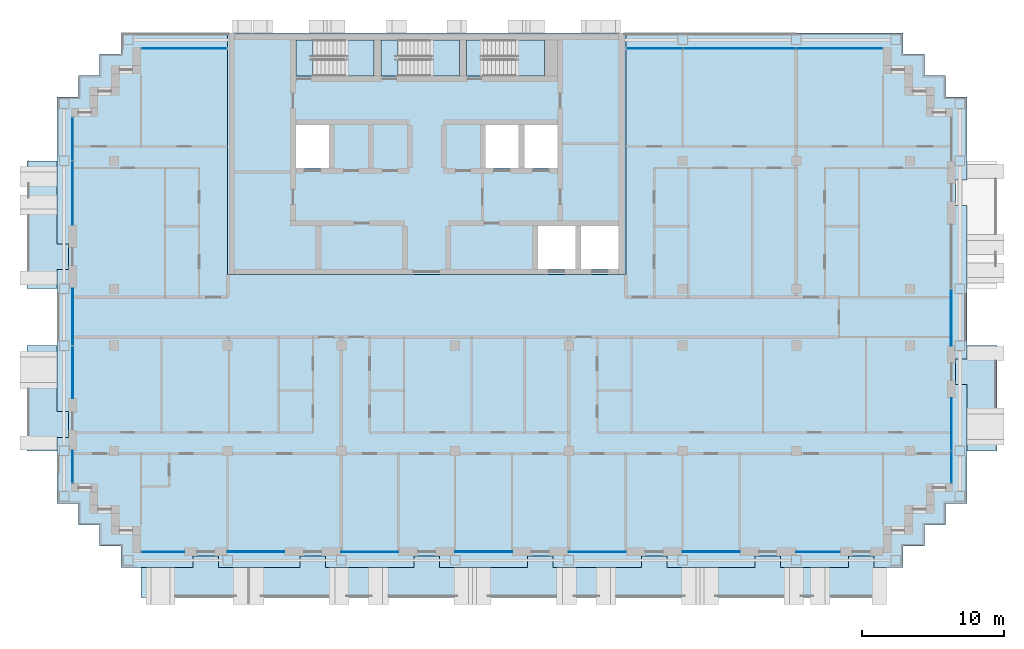
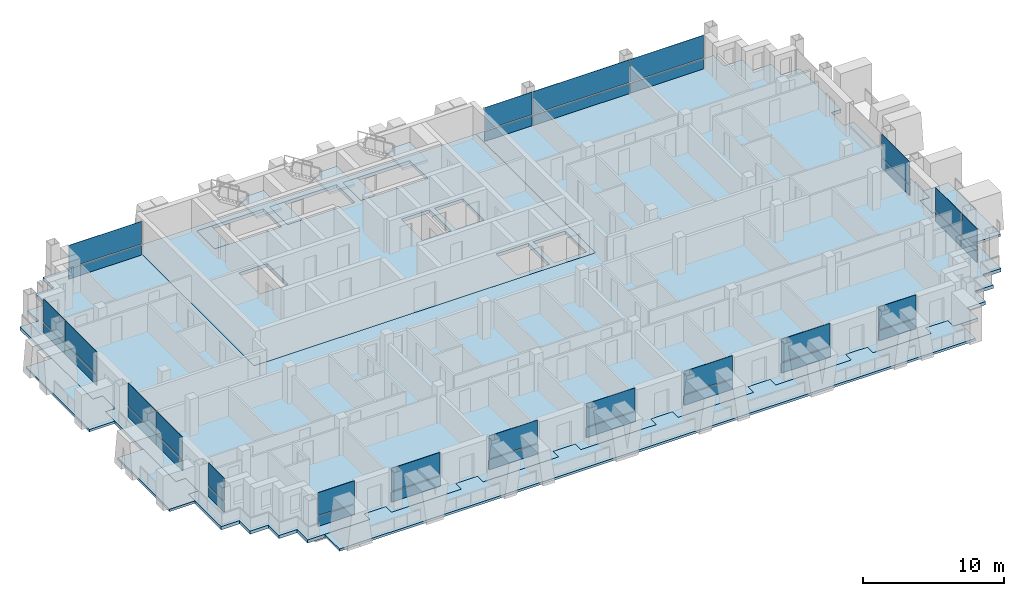
# One storey, part 6 of 16: 38 plates, 12 slabs, 17 elements without a shape of their own.
"""IFC4 building model written with IfcOpenShell, lengths in metres."""

from ifc_helpers import new_model, si_unit, direction, frame, origin, origin_2d, place, context, subcontext, project, spatial, polyline, rectangle, outline, extrude, material, layer, layer_set, type_object, element, aggregate, save


model = new_model("IFC4")

# Units and contexts
model_context = context("Model", 3, precision=1e-05, world=origin(), true_north=direction((0.0, 1.0)))
body_context = subcontext(model_context, "Body", "Model", "MODEL_VIEW")
ifc_project = project(units=[si_unit("LENGTHUNIT", "METRE"), si_unit("AREAUNIT", "SQUARE_METRE"), si_unit("VOLUMEUNIT", "CUBIC_METRE"), si_unit("PLANEANGLEUNIT", "RADIAN"), si_unit("MASSUNIT", "GRAM", prefix="KILO")], contexts=[model_context])

# Site, building, storey
site_placement = place(None, origin())
site = spatial("IfcSite", under=ifc_project, at=site_placement, CompositionType="ELEMENT")
building_placement = place(site_placement, origin())
building = spatial("IfcBuilding", under=site, at=building_placement, Name="Vidyagriha Tower", CompositionType="ELEMENT")
storey_placement = place(building_placement, frame((0.0, 0.0, 168.5)))
storey = spatial("IfcBuildingStorey", under=building, at=storey_placement, Name="L43", CompositionType="ELEMENT", Elevation=168.5)

# Curtain wall, plates
ifc_material_1 = material(Name="Aluminium and glass curtain wall", Category="aluminium")
curtain_wall_type = type_object("IfcCurtainWallType", Name="Dwelling skin unitised curtain wall", PredefinedType="USERDEFINED", material=ifc_material_1)
curtain_wall_1_placement = place(storey_placement, origin())
curtain_wall_1 = element("IfcCurtainWall", 1, at=curtain_wall_1_placement, inside=storey, type_object=curtain_wall_type, Name="CW1 dwelling skin", ObjectType="UNITISED", PredefinedType="USERDEFINED")
ifc_material_2 = material(Name="Glass dark ceramic-fritted spandrel", Category="glass")
ifc_layer_1 = layer(ifc_material_2, 0.0400390625)
ifc_layer_set_1 = layer_set([ifc_layer_1], Name="Glass dark ceramic-fritted spandrel")
plate_type_1 = type_object("IfcPlateType", Name="Ceramic-fritted spandrel panel", PredefinedType="CURTAIN_PANEL", material=ifc_layer_set_1)
plate_1_placement = place(storey_placement, frame((29.032470703125, 18.89990234375, 0.0), z_axis=(0.0, 0.0, 1.0), x_axis=(-1.0, 0.0, 0.0)))
plate_1 = element("IfcPlate", 2, at=plate_1_placement, type_object=plate_type_1, Name="CW1 panel 1.1", PredefinedType="CURTAIN_PANEL", context=body_context, shape_type="SweptSolid", body=[
    extrude(rectangle(XDim=5.9951171875, YDim=0.0400390625, at=origin_2d()), origin(), (0.0, 0.0, 1.0), 0.85009765625),
])
plate_2_placement = place(storey_placement, frame((16.017578125, 18.89990234375, 0.0), z_axis=(0.0, 0.0, 1.0), x_axis=(-1.0, 0.0, 0.0)))
plate_2 = element("IfcPlate", 3, at=plate_2_placement, type_object=plate_type_1, Name="CW1 panel 3.1", PredefinedType="CURTAIN_PANEL", context=body_context, shape_type="SweptSolid", body=[
    extrude(rectangle(XDim=3.89501953125, YDim=0.0400390625, at=origin_2d()), origin(), (0.0, 0.0, 1.0), 0.85009765625),
])

# Curtain wall, plate
curtain_wall_2_placement = place(storey_placement, origin())
curtain_wall_2 = element("IfcCurtainWall", 4, at=curtain_wall_2_placement, inside=storey, type_object=curtain_wall_type, Name="CW1 dwelling skin", ObjectType="UNITISED", PredefinedType="USERDEFINED")
plate_3_placement = place(storey_placement, frame((-17.050048828125, 18.89990234375, 0.0), z_axis=(0.0, 0.0, 1.0), x_axis=(-1.0, 0.0, 0.0)))
plate_3 = element("IfcPlate", 5, at=plate_3_placement, type_object=plate_type_1, Name="CW1 panel 1.1", PredefinedType="CURTAIN_PANEL", context=body_context, shape_type="SweptSolid", body=[
    extrude(rectangle(XDim=5.9599609375, YDim=0.0400390625, at=origin_2d()), origin(), (0.0, 0.0, 1.0), 0.85009765625),
])

# Curtain wall, plates
curtain_wall_3_placement = place(storey_placement, origin())
curtain_wall_3 = element("IfcCurtainWall", 6, at=curtain_wall_3_placement, inside=storey, type_object=curtain_wall_type, Name="CW1 dwelling skin", ObjectType="UNITISED", PredefinedType="USERDEFINED")
plate_4_placement = place(storey_placement, frame((-24.89990234375, 12.532470703125, 0.0), z_axis=(0.0, 0.0, 1.0), x_axis=(0.0, -1.0, 0.0)))
plate_4 = element("IfcPlate", 7, at=plate_4_placement, type_object=plate_type_1, Name="CW1 panel 1.1", PredefinedType="CURTAIN_PANEL", context=body_context, shape_type="SweptSolid", body=[
    extrude(rectangle(XDim=2.9951171875, YDim=0.0400390625, at=origin_2d()), origin(), (0.0, 0.0, 1.0), 0.85009765625),
])
plate_5_placement = place(storey_placement, frame((-24.89990234375, 8.732421875, 0.0), z_axis=(0.0, 0.0, 1.0), x_axis=(0.0, -1.0, 0.0)))
plate_5 = element("IfcPlate", 8, at=plate_5_placement, type_object=plate_type_1, Name="CW1 panel 2.1", PredefinedType="CURTAIN_PANEL", context=body_context, shape_type="SweptSolid", body=[
    extrude(rectangle(XDim=4.465087890625, YDim=0.0400390625, at=origin_2d()), origin(), (0.0, 0.0, 1.0), 0.85009765625),
])

# Curtain wall, plate
curtain_wall_4_placement = place(storey_placement, origin())
curtain_wall_4 = element("IfcCurtainWall", 9, at=curtain_wall_4_placement, inside=storey, type_object=curtain_wall_type, Name="CW1 dwelling skin", ObjectType="UNITISED", PredefinedType="USERDEFINED")
plate_6_placement = place(storey_placement, frame((-24.89990234375, -10.514892578125, 0.0), z_axis=(0.0, 0.0, 1.0), x_axis=(0.0, -1.0, 0.0)))
plate_6 = element("IfcPlate", 10, at=plate_6_placement, type_object=plate_type_1, Name="CW1 panel 1.1", PredefinedType="CURTAIN_PANEL", context=body_context, shape_type="SweptSolid", body=[
    extrude(rectangle(XDim=2.22998046875, YDim=0.0400390625, at=origin_2d()), origin(), (0.0, 0.0, 1.0), 0.85009765625),
])

curtain_wall_5_placement = place(storey_placement, origin())
curtain_wall_5 = element("IfcCurtainWall", 11, at=curtain_wall_5_placement, inside=storey, type_object=curtain_wall_type, Name="CW1 dwelling skin", ObjectType="UNITISED", PredefinedType="USERDEFINED")
plate_7_placement = place(storey_placement, frame((-18.5400390625, -16.5, 0.0)))
plate_7 = element("IfcPlate", 12, at=plate_7_placement, type_object=plate_type_1, Name="CW1 panel 1.1", PredefinedType="CURTAIN_PANEL", context=body_context, shape_type="SweptSolid", body=[
    extrude(rectangle(XDim=2.97998046875, YDim=0.0400390625, at=origin_2d()), origin(), (0.0, 0.0, 1.0), 0.85009765625),
])

curtain_wall_6_placement = place(storey_placement, origin())
curtain_wall_6 = element("IfcCurtainWall", 13, at=curtain_wall_6_placement, inside=storey, type_object=curtain_wall_type, Name="CW1 dwelling skin", ObjectType="UNITISED", PredefinedType="USERDEFINED")
plate_8_placement = place(storey_placement, frame((-4.0, -16.5, 0.0)))
plate_8 = element("IfcPlate", 14, at=plate_8_placement, type_object=plate_type_1, Name="CW1 panel 1.1", PredefinedType="CURTAIN_PANEL", context=body_context, shape_type="SweptSolid", body=[
    extrude(rectangle(XDim=4.0, YDim=0.0400390625, at=origin_2d()), origin(), (0.0, 0.0, 1.0), 0.85009765625),
])

curtain_wall_7_placement = place(storey_placement, origin())
curtain_wall_7 = element("IfcCurtainWall", 15, at=curtain_wall_7_placement, inside=storey, type_object=curtain_wall_type, Name="CW1 dwelling skin", ObjectType="UNITISED", PredefinedType="USERDEFINED")
plate_9_placement = place(storey_placement, frame((12.0, -16.5, 0.0)))
plate_9 = element("IfcPlate", 16, at=plate_9_placement, type_object=plate_type_1, Name="CW1 panel 1.1", PredefinedType="CURTAIN_PANEL", context=body_context, shape_type="SweptSolid", body=[
    extrude(rectangle(XDim=4.0, YDim=0.0400390625, at=origin_2d()), origin(), (0.0, 0.0, 1.0), 0.85009765625),
])

curtain_wall_8_placement = place(storey_placement, origin())
curtain_wall_8 = element("IfcCurtainWall", 17, at=curtain_wall_8_placement, inside=storey, type_object=curtain_wall_type, Name="CW1 dwelling skin", ObjectType="UNITISED", PredefinedType="USERDEFINED")
plate_10_placement = place(storey_placement, frame((27.52490234375, -16.5, 0.0)))
plate_10 = element("IfcPlate", 18, at=plate_10_placement, type_object=plate_type_1, Name="CW1 panel 1.1", PredefinedType="CURTAIN_PANEL", context=body_context, shape_type="SweptSolid", body=[
    extrude(rectangle(XDim=3.050048828125, YDim=0.0400390625, at=origin_2d()), origin(), (0.0, 0.0, 1.0), 0.85009765625),
])

# Curtain wall, plates
curtain_wall_9_placement = place(storey_placement, origin())
curtain_wall_9 = element("IfcCurtainWall", 19, at=curtain_wall_9_placement, inside=storey, type_object=curtain_wall_type, Name="CW1 dwelling skin", ObjectType="UNITISED", PredefinedType="USERDEFINED")
plate_11_placement = place(storey_placement, frame((36.89990234375, -10.532470703125, 0.0), z_axis=(0.0, 0.0, 1.0), x_axis=(0.0, 1.0, 0.0)))
plate_11 = element("IfcPlate", 20, at=plate_11_placement, type_object=plate_type_1, Name="CW1 panel 1.1", PredefinedType="CURTAIN_PANEL", context=body_context, shape_type="SweptSolid", body=[
    extrude(rectangle(XDim=2.195068359375, YDim=0.0400390625, at=origin_2d()), origin(), (0.0, 0.0, 1.0), 0.85009765625),
])
plate_12_placement = place(storey_placement, frame((36.89990234375, -7.532470703125, 0.0), z_axis=(0.0, 0.0, 1.0), x_axis=(0.0, 1.0, 0.0)))
plate_12 = element("IfcPlate", 21, at=plate_12_placement, type_object=plate_type_1, Name="CW1 panel 2.1", PredefinedType="CURTAIN_PANEL", context=body_context, shape_type="SweptSolid", body=[
    extrude(rectangle(XDim=3.6650390625, YDim=0.0400390625, at=origin_2d()), origin(), (0.0, 0.0, 1.0), 0.85009765625),
])

# Slab
ifc_material_3 = material(Name="Concrete C60/75", Category="concrete")
ifc_layer_2 = layer(ifc_material_3, 0.280029296875)
ifc_layer_set_2 = layer_set([ifc_layer_2], Name="Concrete C60/75")
slab_type_1 = type_object("IfcSlabType", Name="Core floor slab 280 mm", PredefinedType="FLOOR", material=ifc_layer_set_2)
slab_1_placement = place(storey_placement, frame((0.0, 0.0, -0.280029296875)))
element("IfcSlab", 22, at=slab_1_placement, inside=storey, type_object=slab_type_1, Name="L43 core floor 1", PredefinedType="FLOOR", context=body_context, shape_type="SweptSolid", body=[
    extrude(outline(polyline([(-14.0, 3.0), (-14.0, 20.0), (14.0, 20.0), (14.0, 3.0), (-14.0, 3.0)]), holes=[polyline([(13.5, 6.39990234375), (10.855712890625, 6.39990234375), (10.855712890625, 3.39990234375), (13.5, 3.39990234375), (13.5, 6.39990234375)]), polyline([(10.45556640625, 6.39990234375), (7.81103515625, 6.39990234375), (7.81103515625, 3.39990234375), (10.45556640625, 3.39990234375), (10.45556640625, 6.39990234375)]), polyline([(9.199951171875, 13.5), (6.86669921875, 13.5), (6.86669921875, 10.5), (9.199951171875, 10.5), (9.199951171875, 13.5)]), polyline([(2.800048828125, 19.5), (2.800048828125, 16.949951171875), (4.0, 16.949951171875), (8.300048828125, 16.949951171875), (8.300048828125, 19.5), (4.0, 19.5), (2.800048828125, 19.5)]), polyline([(4.13330078125, 13.5), (4.13330078125, 10.5), (6.466796875, 10.5), (6.466796875, 13.5), (4.13330078125, 13.5)]), polyline([(-2.0, 19.5), (-3.199951171875, 19.5), (-3.199951171875, 16.949951171875), (-2.0, 16.949951171875), (2.300048828125, 16.949951171875), (2.300048828125, 19.5), (-2.0, 19.5)]), polyline([(-9.199951171875, 19.5), (-9.199951171875, 16.949951171875), (-8.0, 16.949951171875), (-3.699951171875, 16.949951171875), (-3.699951171875, 19.5), (-8.0, 19.5), (-9.199951171875, 19.5)]), polyline([(-9.199951171875, 13.5), (-9.199951171875, 10.5), (-6.86669921875, 10.5), (-6.86669921875, 13.5), (-9.199951171875, 13.5)])]), origin(), (0.0, 0.0, 1.0), 0.280029296875),
])

# Plate
ifc_material_4 = material(Name="Glass dark ceramic-fritted", Category="glass")
ifc_layer_3 = layer(ifc_material_4, 0.028076171875)
ifc_layer_set_3 = layer_set([ifc_layer_3], Name="Glass dark ceramic-fritted")
plate_type_2 = type_object("IfcPlateType", Name="Dark ceramic-fritted vision glass panel", PredefinedType="CURTAIN_PANEL", material=ifc_layer_set_3)
plate_13_placement = place(storey_placement, frame((29.032470703125, 18.89990234375, 0.9501953125), z_axis=(0.0, 0.0, 1.0), x_axis=(-1.0, 0.0, 0.0)))
plate_13 = element("IfcPlate", 23, at=plate_13_placement, type_object=plate_type_2, Name="CW1 panel 1.2", PredefinedType="CURTAIN_PANEL", context=body_context, shape_type="SweptSolid", body=[
    extrude(rectangle(XDim=5.9951171875, YDim=0.028076171875, at=origin_2d()), origin(), (0.0, 0.0, 1.0), 1.969970703125),
])

plate_14_placement = place(storey_placement, frame((22.0, 18.89990234375, 0.9501953125), z_axis=(0.0, 0.0, 1.0), x_axis=(-1.0, 0.0, 0.0)))
plate_14 = element("IfcPlate", 24, at=plate_14_placement, type_object=plate_type_2, Name="CW1 panel 2.2", PredefinedType="CURTAIN_PANEL", context=body_context, shape_type="SweptSolid", body=[
    extrude(rectangle(XDim=7.929931640625, YDim=0.028076171875, at=origin_2d()), origin(), (0.0, 0.0, 1.0), 1.969970703125),
])

plate_15_placement = place(storey_placement, frame((16.017578125, 18.89990234375, 0.9501953125), z_axis=(0.0, 0.0, 1.0), x_axis=(-1.0, 0.0, 0.0)))
plate_15 = element("IfcPlate", 25, at=plate_15_placement, type_object=plate_type_2, Name="CW1 panel 3.2", PredefinedType="CURTAIN_PANEL", context=body_context, shape_type="SweptSolid", body=[
    extrude(rectangle(XDim=3.89501953125, YDim=0.028076171875, at=origin_2d()), origin(), (0.0, 0.0, 1.0), 1.969970703125),
])

plate_16_placement = place(storey_placement, frame((-17.050048828125, 18.89990234375, 0.9501953125), z_axis=(0.0, 0.0, 1.0), x_axis=(-1.0, 0.0, 0.0)))
plate_16 = element("IfcPlate", 26, at=plate_16_placement, type_object=plate_type_2, Name="CW1 panel 1.2", PredefinedType="CURTAIN_PANEL", context=body_context, shape_type="SweptSolid", body=[
    extrude(rectangle(XDim=5.9599609375, YDim=0.028076171875, at=origin_2d()), origin(), (0.0, 0.0, 1.0), 1.969970703125),
])

aggregate(curtain_wall_2, [plate_3, plate_16])

plate_17_placement = place(storey_placement, frame((-24.89990234375, 12.532470703125, 0.9501953125), z_axis=(0.0, 0.0, 1.0), x_axis=(0.0, -1.0, 0.0)))
plate_17 = element("IfcPlate", 27, at=plate_17_placement, type_object=plate_type_2, Name="CW1 panel 1.2", PredefinedType="CURTAIN_PANEL", context=body_context, shape_type="SweptSolid", body=[
    extrude(rectangle(XDim=2.9951171875, YDim=0.028076171875, at=origin_2d()), origin(), (0.0, 0.0, 1.0), 1.969970703125),
])

plate_18_placement = place(storey_placement, frame((-24.89990234375, 8.732421875, 0.9501953125), z_axis=(0.0, 0.0, 1.0), x_axis=(0.0, -1.0, 0.0)))
plate_18 = element("IfcPlate", 28, at=plate_18_placement, type_object=plate_type_2, Name="CW1 panel 2.2", PredefinedType="CURTAIN_PANEL", context=body_context, shape_type="SweptSolid", body=[
    extrude(rectangle(XDim=4.465087890625, YDim=0.028076171875, at=origin_2d()), origin(), (0.0, 0.0, 1.0), 1.969970703125),
])

aggregate(curtain_wall_3, [plate_4, plate_17, plate_5, plate_18])

# Curtain wall, plates
curtain_wall_10_placement = place(storey_placement, origin())
curtain_wall_10 = element("IfcCurtainWall", 29, at=curtain_wall_10_placement, inside=storey, type_object=curtain_wall_type, Name="CW1 dwelling skin", ObjectType="UNITISED", PredefinedType="USERDEFINED")
plate_19_placement = place(storey_placement, frame((-24.89990234375, 0.017578125, 0.9501953125), z_axis=(0.0, 0.0, 1.0), x_axis=(0.0, -1.0, 0.0)))
plate_19 = element("IfcPlate", 30, at=plate_19_placement, type_object=plate_type_2, Name="CW1 panel 1.2", PredefinedType="CURTAIN_PANEL", context=body_context, shape_type="SweptSolid", body=[
    extrude(rectangle(XDim=3.965087890625, YDim=0.028076171875, at=origin_2d()), origin(), (0.0, 0.0, 1.0), 1.969970703125),
])
plate_20_placement = place(storey_placement, frame((-24.89990234375, -3.867431640625, 0.9501953125), z_axis=(0.0, 0.0, 1.0), x_axis=(0.0, -1.0, 0.0)))
plate_20 = element("IfcPlate", 31, at=plate_20_placement, type_object=plate_type_2, Name="CW1 panel 2.2", PredefinedType="CURTAIN_PANEL", context=body_context, shape_type="SweptSolid", body=[
    extrude(rectangle(XDim=3.6650390625, YDim=0.028076171875, at=origin_2d()), origin(), (0.0, 0.0, 1.0), 1.969970703125),
])

# Plate
plate_21_placement = place(storey_placement, frame((-24.89990234375, -10.514892578125, 0.9501953125), z_axis=(0.0, 0.0, 1.0), x_axis=(0.0, -1.0, 0.0)))
plate_21 = element("IfcPlate", 32, at=plate_21_placement, type_object=plate_type_2, Name="CW1 panel 1.2", PredefinedType="CURTAIN_PANEL", context=body_context, shape_type="SweptSolid", body=[
    extrude(rectangle(XDim=2.22998046875, YDim=0.028076171875, at=origin_2d()), origin(), (0.0, 0.0, 1.0), 1.969970703125),
])

aggregate(curtain_wall_4, [plate_6, plate_21])

plate_22_placement = place(storey_placement, frame((-18.5400390625, -16.5, 0.9501953125)))
plate_22 = element("IfcPlate", 33, at=plate_22_placement, type_object=plate_type_2, Name="CW1 panel 1.2", PredefinedType="CURTAIN_PANEL", context=body_context, shape_type="SweptSolid", body=[
    extrude(rectangle(XDim=2.97998046875, YDim=0.028076171875, at=origin_2d()), origin(), (0.0, 0.0, 1.0), 1.969970703125),
])

aggregate(curtain_wall_5, [plate_7, plate_22])

# Curtain wall, plate
curtain_wall_11_placement = place(storey_placement, origin())
curtain_wall_11 = element("IfcCurtainWall", 34, at=curtain_wall_11_placement, inside=storey, type_object=curtain_wall_type, Name="CW1 dwelling skin", ObjectType="UNITISED", PredefinedType="USERDEFINED")
plate_23_placement = place(storey_placement, frame((-12.0, -16.5, 0.9501953125)))
plate_23 = element("IfcPlate", 35, at=plate_23_placement, type_object=plate_type_2, Name="CW1 panel 1.2", PredefinedType="CURTAIN_PANEL", context=body_context, shape_type="SweptSolid", body=[
    extrude(rectangle(XDim=4.0, YDim=0.028076171875, at=origin_2d()), origin(), (0.0, 0.0, 1.0), 1.969970703125),
])

# Plate
plate_24_placement = place(storey_placement, frame((-4.0, -16.5, 0.9501953125)))
plate_24 = element("IfcPlate", 36, at=plate_24_placement, type_object=plate_type_2, Name="CW1 panel 1.2", PredefinedType="CURTAIN_PANEL", context=body_context, shape_type="SweptSolid", body=[
    extrude(rectangle(XDim=4.0, YDim=0.028076171875, at=origin_2d()), origin(), (0.0, 0.0, 1.0), 1.969970703125),
])

aggregate(curtain_wall_6, [plate_8, plate_24])

# Curtain wall, plate
curtain_wall_12_placement = place(storey_placement, origin())
curtain_wall_12 = element("IfcCurtainWall", 37, at=curtain_wall_12_placement, inside=storey, type_object=curtain_wall_type, Name="CW1 dwelling skin", ObjectType="UNITISED", PredefinedType="USERDEFINED")
plate_25_placement = place(storey_placement, frame((4.0, -16.5, 0.9501953125)))
plate_25 = element("IfcPlate", 38, at=plate_25_placement, type_object=plate_type_2, Name="CW1 panel 1.2", PredefinedType="CURTAIN_PANEL", context=body_context, shape_type="SweptSolid", body=[
    extrude(rectangle(XDim=4.0, YDim=0.028076171875, at=origin_2d()), origin(), (0.0, 0.0, 1.0), 1.969970703125),
])

# Plate
plate_26_placement = place(storey_placement, frame((12.0, -16.5, 0.9501953125)))
plate_26 = element("IfcPlate", 39, at=plate_26_placement, type_object=plate_type_2, Name="CW1 panel 1.2", PredefinedType="CURTAIN_PANEL", context=body_context, shape_type="SweptSolid", body=[
    extrude(rectangle(XDim=4.0, YDim=0.028076171875, at=origin_2d()), origin(), (0.0, 0.0, 1.0), 1.969970703125),
])

aggregate(curtain_wall_7, [plate_9, plate_26])

# Curtain wall, plate
curtain_wall_13_placement = place(storey_placement, origin())
curtain_wall_13 = element("IfcCurtainWall", 40, at=curtain_wall_13_placement, inside=storey, type_object=curtain_wall_type, Name="CW1 dwelling skin", ObjectType="UNITISED", PredefinedType="USERDEFINED")
plate_27_placement = place(storey_placement, frame((20.0, -16.5, 0.9501953125)))
plate_27 = element("IfcPlate", 41, at=plate_27_placement, type_object=plate_type_2, Name="CW1 panel 1.2", PredefinedType="CURTAIN_PANEL", context=body_context, shape_type="SweptSolid", body=[
    extrude(rectangle(XDim=4.0, YDim=0.028076171875, at=origin_2d()), origin(), (0.0, 0.0, 1.0), 1.969970703125),
])

# Plate
plate_28_placement = place(storey_placement, frame((27.52490234375, -16.5, 0.9501953125)))
plate_28 = element("IfcPlate", 42, at=plate_28_placement, type_object=plate_type_2, Name="CW1 panel 1.2", PredefinedType="CURTAIN_PANEL", context=body_context, shape_type="SweptSolid", body=[
    extrude(rectangle(XDim=3.050048828125, YDim=0.028076171875, at=origin_2d()), origin(), (0.0, 0.0, 1.0), 1.969970703125),
])

aggregate(curtain_wall_8, [plate_10, plate_28])

plate_29_placement = place(storey_placement, frame((36.89990234375, -10.532470703125, 0.9501953125), z_axis=(0.0, 0.0, 1.0), x_axis=(0.0, 1.0, 0.0)))
plate_29 = element("IfcPlate", 43, at=plate_29_placement, type_object=plate_type_2, Name="CW1 panel 1.2", PredefinedType="CURTAIN_PANEL", context=body_context, shape_type="SweptSolid", body=[
    extrude(rectangle(XDim=2.195068359375, YDim=0.028076171875, at=origin_2d()), origin(), (0.0, 0.0, 1.0), 1.969970703125),
])

plate_30_placement = place(storey_placement, frame((36.89990234375, -7.532470703125, 0.9501953125), z_axis=(0.0, 0.0, 1.0), x_axis=(0.0, 1.0, 0.0)))
plate_30 = element("IfcPlate", 44, at=plate_30_placement, type_object=plate_type_2, Name="CW1 panel 2.2", PredefinedType="CURTAIN_PANEL", context=body_context, shape_type="SweptSolid", body=[
    extrude(rectangle(XDim=3.6650390625, YDim=0.028076171875, at=origin_2d()), origin(), (0.0, 0.0, 1.0), 1.969970703125),
])

aggregate(curtain_wall_9, [plate_11, plate_29, plate_12, plate_30])

# Curtain wall, plate
curtain_wall_14_placement = place(storey_placement, origin())
curtain_wall_14 = element("IfcCurtainWall", 45, at=curtain_wall_14_placement, inside=storey, type_object=curtain_wall_type, Name="CW1 dwelling skin", ObjectType="UNITISED", PredefinedType="USERDEFINED")
plate_31_placement = place(storey_placement, frame((36.89990234375, -0.017578125, 0.9501953125), z_axis=(0.0, 0.0, 1.0), x_axis=(0.0, 1.0, 0.0)))
plate_31 = element("IfcPlate", 46, at=plate_31_placement, type_object=plate_type_2, Name="CW1 panel 1.2", PredefinedType="CURTAIN_PANEL", context=body_context, shape_type="SweptSolid", body=[
    extrude(rectangle(XDim=3.965087890625, YDim=0.028076171875, at=origin_2d()), origin(), (0.0, 0.0, 1.0), 1.969970703125),
])

# Slabs
ifc_material_5 = material(Name="Concrete C40/50", Category="concrete")
ifc_layer_4 = layer(ifc_material_5, 0.280029296875)
ifc_layer_set_4 = layer_set([ifc_layer_4], Name="Concrete C40/50")
slab_type_2 = type_object("IfcSlabType", Name="Exit stair floor landing 280 mm", PredefinedType="LANDING", material=ifc_layer_set_4)
slab_2_placement = place(storey_placement, frame((0.0, 0.0, -0.280029296875)))
element("IfcSlab", 47, at=slab_2_placement, inside=storey, type_object=slab_type_2, Name="ST1 floor landing L43", PredefinedType="LANDING", context=body_context, shape_type="SweptSolid", body=[
    extrude(outline(polyline([(-9.199951171875, 16.949951171875), (-8.0, 16.949951171875), (-8.0, 19.5), (-9.199951171875, 19.5), (-9.199951171875, 16.949951171875)])), origin(), (0.0, 0.0, 1.0), 0.280029296875),
])
slab_3_placement = place(storey_placement, frame((0.0, 0.0, -0.280029296875)))
element("IfcSlab", 48, at=slab_3_placement, inside=storey, type_object=slab_type_2, Name="ST2 floor landing L43", PredefinedType="LANDING", context=body_context, shape_type="SweptSolid", body=[
    extrude(outline(polyline([(-3.199951171875, 16.949951171875), (-2.0, 16.949951171875), (-2.0, 19.5), (-3.199951171875, 19.5), (-3.199951171875, 16.949951171875)])), origin(), (0.0, 0.0, 1.0), 0.280029296875),
])
slab_4_placement = place(storey_placement, frame((0.0, 0.0, -0.280029296875)))
element("IfcSlab", 49, at=slab_4_placement, inside=storey, type_object=slab_type_2, Name="ST3 floor landing L43", PredefinedType="LANDING", context=body_context, shape_type="SweptSolid", body=[
    extrude(outline(polyline([(2.800048828125, 16.949951171875), (4.0, 16.949951171875), (4.0, 19.5), (2.800048828125, 19.5), (2.800048828125, 16.949951171875)])), origin(), (0.0, 0.0, 1.0), 0.280029296875),
])

# Stair, slab
ifc_material_6 = material(Name="Concrete C40/50", Category="concrete")
stair_type = type_object("IfcStairType", Name="Exit stair, half-turn, precast flights", PredefinedType="HALF_TURN_STAIR", material=ifc_material_6)
stair_1_placement = place(storey_placement, origin())
stair_1 = element("IfcStair", 50, at=stair_1_placement, inside=storey, type_object=stair_type, Name="L43 Exit Stair ST1", PredefinedType="HALF_TURN_STAIR")
ifc_material_7 = material(Name="Concrete C40/50", Category="concrete")
ifc_layer_5 = layer(ifc_material_7, 0.199951171875)
ifc_layer_set_5 = layer_set([ifc_layer_5], Name="Concrete C40/50")
slab_type_3 = type_object("IfcSlabType", Name="Exit stair landing 200 mm", PredefinedType="LANDING", material=ifc_layer_set_5)
slab_5_placement = place(storey_placement, frame((0.0, 0.0, 1.39990234375)))
slab_5 = element("IfcSlab", 51, at=slab_5_placement, type_object=slab_type_3, Name="ST1 landing 1", PredefinedType="LANDING", context=body_context, shape_type="SweptSolid", body=[
    extrude(outline(polyline([(-5.760009765625, 16.949951171875), (-3.699951171875, 16.949951171875), (-3.699951171875, 19.5), (-5.760009765625, 19.5), (-5.760009765625, 16.949951171875)])), origin(), (0.0, 0.0, 1.0), 0.2001953125),
])
aggregate(stair_1, [slab_5])

stair_2_placement = place(storey_placement, origin())
stair_2 = element("IfcStair", 52, at=stair_2_placement, inside=storey, type_object=stair_type, Name="L43 Exit Stair ST2", PredefinedType="HALF_TURN_STAIR")
slab_6_placement = place(storey_placement, frame((0.0, 0.0, 1.39990234375)))
slab_6 = element("IfcSlab", 53, at=slab_6_placement, type_object=slab_type_3, Name="ST2 landing 1", PredefinedType="LANDING", context=body_context, shape_type="SweptSolid", body=[
    extrude(outline(polyline([(0.239990234375, 16.949951171875), (2.300048828125, 16.949951171875), (2.300048828125, 19.5), (0.239990234375, 19.5), (0.239990234375, 16.949951171875)])), origin(), (0.0, 0.0, 1.0), 0.2001953125),
])
aggregate(stair_2, [slab_6])

stair_3_placement = place(storey_placement, origin())
stair_3 = element("IfcStair", 54, at=stair_3_placement, inside=storey, type_object=stair_type, Name="L43 Exit Stair ST3", PredefinedType="HALF_TURN_STAIR")
slab_7_placement = place(storey_placement, frame((0.0, 0.0, 1.39990234375)))
slab_7 = element("IfcSlab", 55, at=slab_7_placement, type_object=slab_type_3, Name="ST3 landing 1", PredefinedType="LANDING", context=body_context, shape_type="SweptSolid", body=[
    extrude(outline(polyline([(6.239990234375, 16.949951171875), (8.300048828125, 16.949951171875), (8.300048828125, 19.5), (6.239990234375, 19.5), (6.239990234375, 16.949951171875)])), origin(), (0.0, 0.0, 1.0), 0.2001953125),
])
aggregate(stair_3, [slab_7])

# Plate
ifc_material_8 = material(Name="Aluminium black anodised", Category="aluminium")
ifc_layer_6 = layer(ifc_material_8, 0.06005859375)
ifc_layer_set_6 = layer_set([ifc_layer_6], Name="Aluminium black anodised")
plate_type_3 = type_object("IfcPlateType", Name="Operable black-metal vent panel", PredefinedType="CURTAIN_PANEL", material=ifc_layer_set_6)
plate_32_placement = place(storey_placement, frame((22.0, 18.89990234375, 0.0), z_axis=(0.0, 0.0, 1.0), x_axis=(-1.0, 0.0, 0.0)))
plate_32 = element("IfcPlate", 56, at=plate_32_placement, type_object=plate_type_3, Name="CW1 panel 2.1", PredefinedType="CURTAIN_PANEL", context=body_context, shape_type="SweptSolid", body=[
    extrude(rectangle(XDim=7.929931640625, YDim=0.06005859375, at=origin_2d()), origin(), (0.0, 0.0, 1.0), 0.85009765625),
])

aggregate(curtain_wall_1, [plate_1, plate_13, plate_32, plate_14, plate_2, plate_15])

plate_33_placement = place(storey_placement, frame((-24.89990234375, 0.017578125, 0.0), z_axis=(0.0, 0.0, 1.0), x_axis=(0.0, -1.0, 0.0)))
plate_33 = element("IfcPlate", 57, at=plate_33_placement, type_object=plate_type_3, Name="CW1 panel 1.1", PredefinedType="CURTAIN_PANEL", context=body_context, shape_type="SweptSolid", body=[
    extrude(rectangle(XDim=3.965087890625, YDim=0.06005859375, at=origin_2d()), origin(), (0.0, 0.0, 1.0), 0.85009765625),
])

plate_34_placement = place(storey_placement, frame((-24.89990234375, -3.867431640625, 0.0), z_axis=(0.0, 0.0, 1.0), x_axis=(0.0, -1.0, 0.0)))
plate_34 = element("IfcPlate", 58, at=plate_34_placement, type_object=plate_type_3, Name="CW1 panel 2.1", PredefinedType="CURTAIN_PANEL", context=body_context, shape_type="SweptSolid", body=[
    extrude(rectangle(XDim=3.6650390625, YDim=0.06005859375, at=origin_2d()), origin(), (0.0, 0.0, 1.0), 0.85009765625),
])

aggregate(curtain_wall_10, [plate_33, plate_19, plate_34, plate_20])

plate_35_placement = place(storey_placement, frame((-12.0, -16.5, 0.0)))
plate_35 = element("IfcPlate", 59, at=plate_35_placement, type_object=plate_type_3, Name="CW1 panel 1.1", PredefinedType="CURTAIN_PANEL", context=body_context, shape_type="SweptSolid", body=[
    extrude(rectangle(XDim=4.0, YDim=0.06005859375, at=origin_2d()), origin(), (0.0, 0.0, 1.0), 0.85009765625),
])

aggregate(curtain_wall_11, [plate_35, plate_23])

plate_36_placement = place(storey_placement, frame((4.0, -16.5, 0.0)))
plate_36 = element("IfcPlate", 60, at=plate_36_placement, type_object=plate_type_3, Name="CW1 panel 1.1", PredefinedType="CURTAIN_PANEL", context=body_context, shape_type="SweptSolid", body=[
    extrude(rectangle(XDim=4.0, YDim=0.06005859375, at=origin_2d()), origin(), (0.0, 0.0, 1.0), 0.85009765625),
])

aggregate(curtain_wall_12, [plate_36, plate_25])

plate_37_placement = place(storey_placement, frame((20.0, -16.5, 0.0)))
plate_37 = element("IfcPlate", 61, at=plate_37_placement, type_object=plate_type_3, Name="CW1 panel 1.1", PredefinedType="CURTAIN_PANEL", context=body_context, shape_type="SweptSolid", body=[
    extrude(rectangle(XDim=4.0, YDim=0.06005859375, at=origin_2d()), origin(), (0.0, 0.0, 1.0), 0.85009765625),
])

aggregate(curtain_wall_13, [plate_37, plate_27])

plate_38_placement = place(storey_placement, frame((36.89990234375, -0.017578125, 0.0), z_axis=(0.0, 0.0, 1.0), x_axis=(0.0, 1.0, 0.0)))
plate_38 = element("IfcPlate", 62, at=plate_38_placement, type_object=plate_type_3, Name="CW1 panel 1.1", PredefinedType="CURTAIN_PANEL", context=body_context, shape_type="SweptSolid", body=[
    extrude(rectangle(XDim=3.965087890625, YDim=0.06005859375, at=origin_2d()), origin(), (0.0, 0.0, 1.0), 0.85009765625),
])

aggregate(curtain_wall_14, [plate_38, plate_31])

# Slabs
ifc_material_9 = material(Name="Concrete C50/60", Category="concrete")
ifc_layer_7 = layer(ifc_material_9, 0.280029296875)
ifc_layer_set_7 = layer_set([ifc_layer_7], Name="Concrete C50/60")
slab_type_4 = type_object("IfcSlabType", Name="Post-tensioned flat plate 280", PredefinedType="FLOOR", material=ifc_layer_set_7)
slab_8_placement = place(storey_placement, frame((0.0, 0.0, -0.280029296875)))
element("IfcSlab", 63, at=slab_8_placement, inside=storey, type_object=slab_type_4, Name="st-slab-L43-1", PredefinedType="FLOOR", context=body_context, shape_type="SweptSolid", body=[
    extrude(outline(polyline([(36.5, -14.60009765625), (35.0, -14.60009765625), (35.0, -16.10009765625), (33.5, -16.10009765625), (33.5, -17.60009765625), (31.47509765625, -17.60009765625), (31.47509765625, -16.800048828125), (29.675048828125, -16.800048828125), (29.675048828125, -17.60009765625), (24.89990234375, -17.60009765625), (24.89990234375, -16.800048828125), (23.10009765625, -16.800048828125), (23.10009765625, -17.60009765625), (16.89990234375, -17.60009765625), (16.89990234375, -16.800048828125), (15.10009765625, -16.800048828125), (15.10009765625, -17.60009765625), (8.89990234375, -17.60009765625), (8.89990234375, -16.800048828125), (7.10009765625, -16.800048828125), (7.10009765625, -17.60009765625), (0.89990234375, -17.60009765625), (0.89990234375, -16.800048828125), (-0.89990234375, -16.800048828125), (-0.89990234375, -17.60009765625), (-7.10009765625, -17.60009765625), (-7.10009765625, -16.800048828125), (-8.89990234375, -16.800048828125), (-8.89990234375, -17.60009765625), (-14.625, -17.60009765625), (-14.625, -16.800048828125), (-16.425048828125, -16.800048828125), (-16.425048828125, -17.60009765625), (-21.5, -17.60009765625), (-21.5, -16.10009765625), (-23.0, -16.10009765625), (-23.0, -14.60009765625), (-24.5, -14.60009765625), (-24.5, -13.10009765625), (-26.0, -13.10009765625), (-26.0, -8.449951171875), (-25.199951171875, -8.449951171875), (-25.199951171875, -6.64990234375), (-26.0, -6.64990234375), (-26.0, 3.35009765625), (-25.199951171875, 3.35009765625), (-25.199951171875, 5.14990234375), (-26.0, 5.14990234375), (-26.0, 15.5), (-24.5, 15.5), (-24.5, 17.0), (-23.0, 17.0), (-23.0, 18.5), (-21.5, 18.5), (-21.5, 20.0), (-14.0, 20.0), (-14.0, 3.0), (14.0, 3.0), (14.0, 20.0), (33.5, 20.0), (33.5, 18.5), (35.0, 18.5), (35.0, 17.0), (36.5, 17.0), (36.5, 15.5), (38.0, 15.5), (38.0, 9.64990234375), (37.199951171875, 9.64990234375), (37.199951171875, 7.85009765625), (38.0, 7.85009765625), (38.0, -2.949951171875), (37.199951171875, -2.949951171875), (37.199951171875, -4.75), (38.0, -4.75), (38.0, -13.10009765625), (36.5, -13.10009765625), (36.5, -14.60009765625)])), origin(), (0.0, 0.0, 1.0), 0.280029296875),
])
ifc_material_10 = material(Name="Precast concrete C40/50", Category="concrete")
ifc_layer_8 = layer(ifc_material_10, 0.199951171875)
ifc_layer_set_8 = layer_set([ifc_layer_8], Name="Precast concrete C40/50")
slab_type_5 = type_object("IfcSlabType", Name="Precast balcony slab 200", PredefinedType="USERDEFINED", material=ifc_layer_set_8)
slab_9_placement = place(storey_placement, frame((0.0, 0.0, -0.199951171875)))
element("IfcSlab", 64, at=slab_9_placement, inside=storey, type_object=slab_type_5, Name="Balcony slab L43 R16.1-1", ObjectType="BALCONY", PredefinedType="USERDEFINED", context=body_context, shape_type="SweptSolid", body=[
    extrude(outline(polyline([(-25.199951171875, 3.35009765625), (-25.199951171875, 5.14990234375), (-26.0, 5.14990234375), (-26.0, 11.0), (-28.10009765625, 11.0), (-28.10009765625, 2.0), (-26.0, 2.0), (-26.0, 3.35009765625), (-25.199951171875, 3.35009765625)])), origin(), (0.0, 0.0, 1.0), 0.199951171875),
])
slab_10_placement = place(storey_placement, frame((0.0, 0.0, -0.199951171875)))
element("IfcSlab", 65, at=slab_10_placement, inside=storey, type_object=slab_type_5, Name="Balcony slab L43 R16.2-2", ObjectType="BALCONY", PredefinedType="USERDEFINED", context=body_context, shape_type="SweptSolid", body=[
    extrude(outline(polyline([(-25.199951171875, -8.449951171875), (-25.199951171875, -6.64990234375), (-26.0, -6.64990234375), (-26.0, -2.0), (-28.10009765625, -2.0), (-28.10009765625, -9.39990234375), (-26.0, -9.39990234375), (-26.0, -8.449951171875), (-25.199951171875, -8.449951171875)])), origin(), (0.0, 0.0, 1.0), 0.199951171875),
])
slab_11_placement = place(storey_placement, frame((0.0, 0.0, -0.199951171875)))
element("IfcSlab", 66, at=slab_11_placement, inside=storey, type_object=slab_type_5, Name="Balcony slab L43 R23.1-7", ObjectType="BALCONY", PredefinedType="USERDEFINED", context=body_context, shape_type="SweptSolid", body=[
    extrude(outline(polyline([(-14.625, -16.800048828125), (-16.425048828125, -16.800048828125), (-16.425048828125, -17.60009765625), (-20.10009765625, -17.60009765625), (-20.10009765625, -19.699951171875), (32.10009765625, -19.699951171875), (32.10009765625, -17.60009765625), (31.47509765625, -17.60009765625), (31.47509765625, -16.800048828125), (29.675048828125, -16.800048828125), (29.675048828125, -17.60009765625), (24.89990234375, -17.60009765625), (24.89990234375, -16.800048828125), (23.10009765625, -16.800048828125), (23.10009765625, -17.60009765625), (16.89990234375, -17.60009765625), (16.89990234375, -16.800048828125), (15.10009765625, -16.800048828125), (15.10009765625, -17.60009765625), (8.89990234375, -17.60009765625), (8.89990234375, -16.800048828125), (7.10009765625, -16.800048828125), (7.10009765625, -17.60009765625), (0.89990234375, -17.60009765625), (0.89990234375, -16.800048828125), (-0.89990234375, -16.800048828125), (-0.89990234375, -17.60009765625), (-7.10009765625, -17.60009765625), (-7.10009765625, -16.800048828125), (-8.89990234375, -16.800048828125), (-8.89990234375, -17.60009765625), (-14.625, -17.60009765625), (-14.625, -16.800048828125)])), origin(), (0.0, 0.0, 1.0), 0.199951171875),
])
slab_12_placement = place(storey_placement, frame((0.0, 0.0, -0.199951171875)))
element("IfcSlab", 67, at=slab_12_placement, inside=storey, type_object=slab_type_5, Name="Balcony slab L43 R30.1-1", ObjectType="BALCONY", PredefinedType="USERDEFINED", context=body_context, shape_type="SweptSolid", body=[
    extrude(outline(polyline([(38.0, -4.75), (38.0, -9.39990234375), (40.10009765625, -9.39990234375), (40.10009765625, -2.0), (38.0, -2.0), (38.0, -2.949951171875), (37.199951171875, -2.949951171875), (37.199951171875, -4.75), (38.0, -4.75)])), origin(), (0.0, 0.0, 1.0), 0.199951171875),
])

save(model, "model.ifc")
